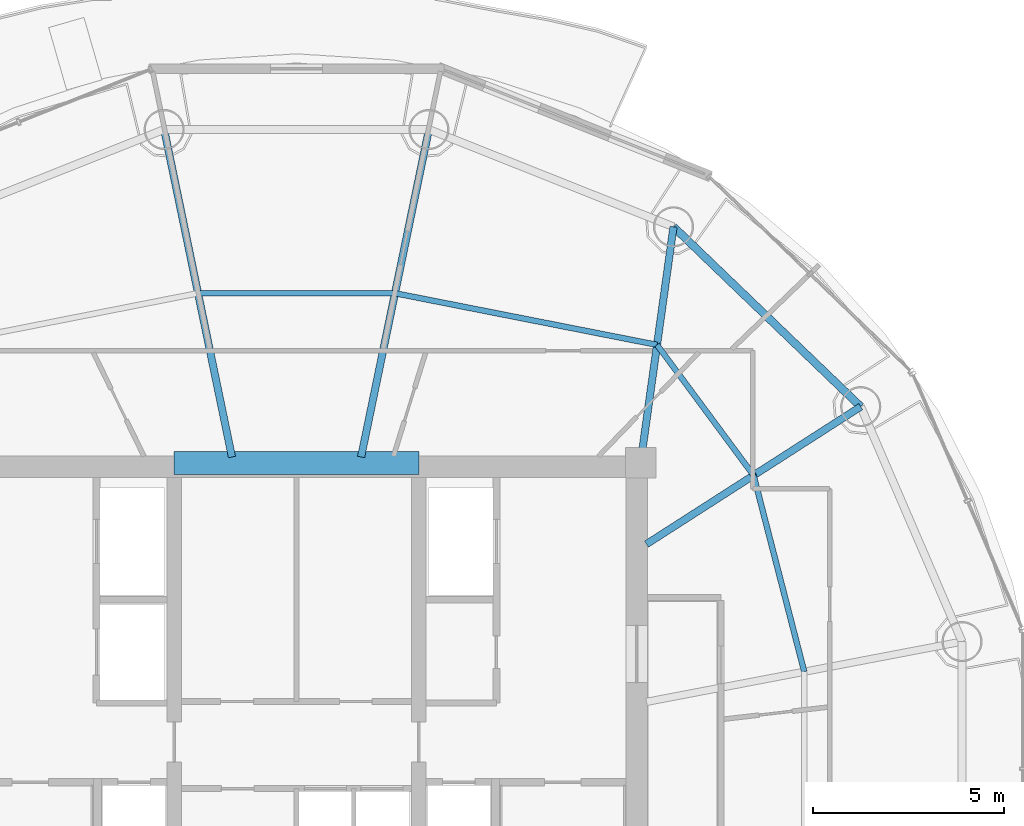
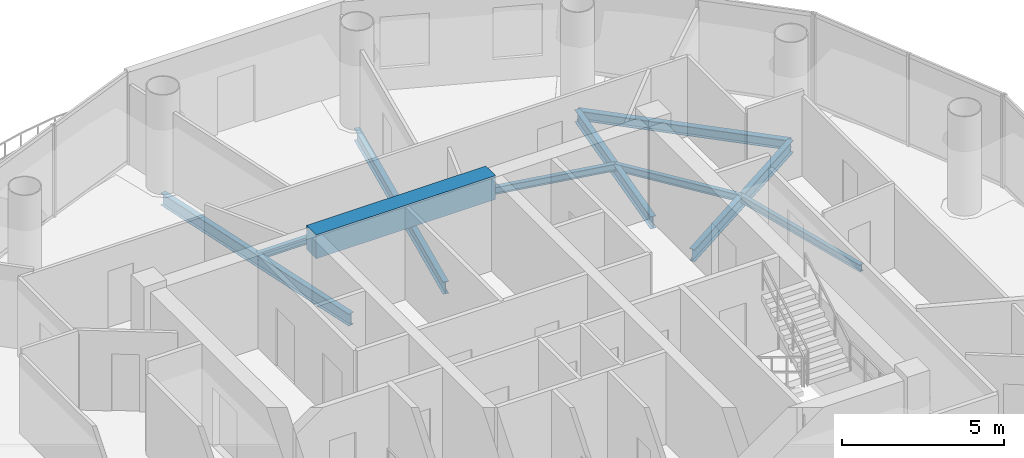
# One storey, part 10 of 24: 10 beams.
"""IFC4 building model written with IfcOpenShell, lengths in metres."""

from ifc_helpers import new_model, si_unit, direction, frame, origin, origin_2d, place, context, subcontext, project, spatial, rectangle, i_section, extrude, material, material_profile, profile_set, type_object, element, save


model = new_model("IFC4")

# Units and contexts
model_context = context("Model", 3, precision=1e-05, world=origin(), true_north=direction((-0.2419218956, 0.970295726276)))
body_context = subcontext(model_context, "Body", "Model", "MODEL_VIEW")
ifc_project = project(units=[si_unit("LENGTHUNIT", "METRE"), si_unit("AREAUNIT", "SQUARE_METRE"), si_unit("VOLUMEUNIT", "CUBIC_METRE"), si_unit("PLANEANGLEUNIT", "RADIAN"), si_unit("MASSUNIT", "GRAM", prefix="KILO")], contexts=[model_context])

# Site, building, storey
site_placement = place(None, origin())
site = spatial("IfcSite", under=ifc_project, at=site_placement, CompositionType="ELEMENT")
building_placement = place(site_placement, origin())
building = spatial("IfcBuilding", under=site, at=building_placement, Name="Cobrevalo Terracotta Tower", CompositionType="ELEMENT")
storey_placement = place(building_placement, frame((0.0, 0.0, 274.449951171875)))
storey = spatial("IfcBuildingStorey", under=building, at=storey_placement, Name="L72", CompositionType="ELEMENT", Elevation=274.449951171875)

# Beams
ifc_material_1 = material(Name="Concrete C60", Category="concrete")
ifc_material_profile_1 = material_profile(ifc_material_1, rectangle(XDim=0.60009765625, YDim=0.89990234375, at=origin_2d()), Name="RC CB 600x900")
ifc_profile_set_1 = profile_set([ifc_material_profile_1], Name="Concrete C60")
beam_type_1 = type_object("IfcBeamType", Name="Structural Beam RC CB 600x900 (Concrete C60)", PredefinedType="BEAM", material=ifc_profile_set_1)
beam_1_placement = place(storey_placement, frame((34.800048828125, 34.800048828125, 3.0400390625), z_axis=(1.0, 0.0, 0.0), x_axis=(0.0, 1.0, 0.0)))
element("IfcBeam", 1, at=beam_1_placement, inside=storey, type_object=beam_type_1, Name="L72 core coupling beam 2", PredefinedType="BEAM", context=body_context, shape_type="SweptSolid", body=[
    extrude(rectangle(XDim=0.60009765625, YDim=0.89990234375, at=origin_2d()), origin(), (0.0, 0.0, 1.0), 6.39990234375),
])
ifc_material_2 = material(Name="Steel S355", Category="steel")
ifc_material_profile_2 = material_profile(ifc_material_2, i_section(OverallWidth=0.19091796875, OverallDepth=0.4599609375, WebThickness=0.010009765625, FlangeThickness=0.01611328125, at=origin_2d()), Name="W 460x82")
ifc_profile_set_2 = profile_set([ifc_material_profile_2], Name="Steel S355")
beam_type_2 = type_object("IfcBeamType", Name="Structural Beam W 460x82 (Steel S355)", PredefinedType="BEAM", material=ifc_profile_set_2)
beam_2_placement = place(storey_placement, frame((52.758544921875, 36.2724609375, -0.489990234375), z_axis=(-0.84157615512, -0.540138477739, 0.0), x_axis=(0.540138477739, -0.84157615512, 0.0)))
element("IfcBeam", 2, at=beam_2_placement, inside=storey, type_object=beam_type_2, Name="L72 radial floor girder 02", PredefinedType="BEAM", context=body_context, shape_type="SweptSolid", body=[
    extrude(i_section(OverallWidth=0.19091796875, OverallDepth=0.4599609375, WebThickness=0.010009765625, FlangeThickness=0.01611328125, at=origin_2d()), origin(), (0.0, 0.0, 1.0), 6.658447265625),
])
beam_3_placement = place(storey_placement, frame((47.861328125, 40.9765625, -0.489990234375), z_axis=(-0.138115657759, -0.990416107039, 0.0), x_axis=(0.990416107039, -0.138115657759, 0.0)))
element("IfcBeam", 3, at=beam_3_placement, inside=storey, type_object=beam_type_2, Name="L72 radial floor girder 03", PredefinedType="BEAM", context=body_context, shape_type="SweptSolid", body=[
    extrude(i_section(OverallWidth=0.19091796875, OverallDepth=0.4599609375, WebThickness=0.010009765625, FlangeThickness=0.01611328125, at=origin_2d()), origin(), (0.0, 0.0, 1.0), 6.236328125),
])
for number, where, z_axis, x_axis, name in (
    (4, (41.462890625, 43.5224609375, -0.489990234375), (-0.202781841237, -0.9792239401, 0.0), (0.9792239401, -0.202781841237, 0.0), "L72 radial floor girder 04"),
    (5, (34.537109375, 43.5224609375, -0.489990234375), (0.202781841237, -0.9792239401, 0.0), (0.9792239401, 0.202781841237, 0.0), "L72 radial floor girder 05"),
):
    element("IfcBeam", number, at=place(storey_placement, frame(where, z_axis=z_axis, x_axis=x_axis)), inside=storey, type_object=beam_type_2, Name=name, PredefinedType="BEAM", context=body_context, shape_type="SweptSolid", body=[
        extrude(i_section(OverallWidth=0.19091796875, OverallDepth=0.4599609375, WebThickness=0.010009765625, FlangeThickness=0.01611328125, at=origin_2d()), origin(), (0.0, 0.0, 1.0), 8.749267578125),
    ])
ifc_material_profile_3 = material_profile(ifc_material_2, i_section(OverallWidth=0.14794921875, OverallDepth=0.26611328125, WebThickness=0.007568359375, FlangeThickness=0.012939453125, at=origin_2d()), Name="W 250x44.8")
ifc_profile_set_3 = profile_set([ifc_material_profile_3], Name="Steel S355")
beam_type_3 = type_object("IfcBeamType", Name="Structural Joist W 250x44.8 (Steel S355)", PredefinedType="JOIST", material=ifc_profile_set_3)
beam_4_placement = place(storey_placement, frame((51.281982421875, 29.337646484375, -0.39306640625), z_axis=(-0.249816773293, 0.968293126993, 0.0), x_axis=(-0.968293126993, -0.249816773293, 0.0)))
element("IfcBeam", 6, at=beam_4_placement, inside=storey, type_object=beam_type_3, Name="L72 circumferential secondary floor joist 01", PredefinedType="JOIST", context=body_context, shape_type="SweptSolid", body=[
    extrude(i_section(OverallWidth=0.14794921875, OverallDepth=0.26611328125, WebThickness=0.007568359375, FlangeThickness=0.012939453125, at=origin_2d()), origin(), (0.0, 0.0, 1.0), 5.3046875),
])
beam_5_placement = place(storey_placement, frame((49.956787109375, 34.47412109375, -0.39306640625), z_axis=(-0.594799916617, 0.803873783123, 0.0), x_axis=(-0.803873783123, -0.594799916617, 0.0)))
element("IfcBeam", 7, at=beam_5_placement, inside=storey, type_object=beam_type_3, Name="L72 circumferential secondary floor joist 02", PredefinedType="JOIST", context=body_context, shape_type="SweptSolid", body=[
    extrude(i_section(OverallWidth=0.14794921875, OverallDepth=0.26611328125, WebThickness=0.007568359375, FlangeThickness=0.012939453125, at=origin_2d()), origin(), (0.0, 0.0, 1.0), 4.2470703125),
])
beam_6_placement = place(storey_placement, frame((47.4306640625, 37.88818359375, -0.39306640625), z_axis=(-0.98113843359, 0.19330642548, 0.0), x_axis=(-0.19330642548, -0.98113843359, 0.0)))
element("IfcBeam", 8, at=beam_6_placement, inside=storey, type_object=beam_type_3, Name="L72 circumferential secondary floor joist 03", PredefinedType="JOIST", context=body_context, shape_type="SweptSolid", body=[
    extrude(i_section(OverallWidth=0.14794921875, OverallDepth=0.26611328125, WebThickness=0.007568359375, FlangeThickness=0.012939453125, at=origin_2d()), origin(), (0.0, 0.0, 1.0), 6.98681640625),
])
beam_7_placement = place(storey_placement, frame((40.57568359375, 39.23876953125, -0.39306640625), z_axis=(-1.0, 0.0, 0.0), x_axis=(0.0, -1.0, 0.0)))
element("IfcBeam", 9, at=beam_7_placement, inside=storey, type_object=beam_type_3, Name="L72 circumferential secondary floor joist 04", PredefinedType="JOIST", context=body_context, shape_type="SweptSolid", body=[
    extrude(i_section(OverallWidth=0.14794921875, OverallDepth=0.26611328125, WebThickness=0.007568359375, FlangeThickness=0.012939453125, at=origin_2d()), origin(), (0.0, 0.0, 1.0), 5.1513671875),
])
ifc_material_profile_4 = material_profile(ifc_material_2, i_section(OverallWidth=0.205078125, OverallDepth=0.35400390625, WebThickness=0.009521484375, FlangeThickness=0.016845703125, at=origin_2d()), Name="W 360x79")
ifc_profile_set_4 = profile_set([ifc_material_profile_4], Name="Steel S355")
beam_type_4 = type_object("IfcBeamType", Name="Structural Spandrel W 360x79 (Steel S355)", PredefinedType="SPANDREL", material=ifc_profile_set_4)
beam_8_placement = place(storey_placement, frame((52.758544921875, 36.2724609375, -0.43701171875), z_axis=(-0.721183246144, 0.692744343522, 0.0), x_axis=(-0.692744343522, -0.721183246144, 0.0)))
element("IfcBeam", 10, at=beam_8_placement, inside=storey, type_object=beam_type_4, Name="L72 perimeter ring spandrel 02", PredefinedType="SPANDREL", context=body_context, shape_type="SweptSolid", body=[
    extrude(i_section(OverallWidth=0.205078125, OverallDepth=0.35400390625, WebThickness=0.009521484375, FlangeThickness=0.016845703125, at=origin_2d()), origin(), (0.0, 0.0, 1.0), 6.79052734375),
])

save(model, "model.ifc")
